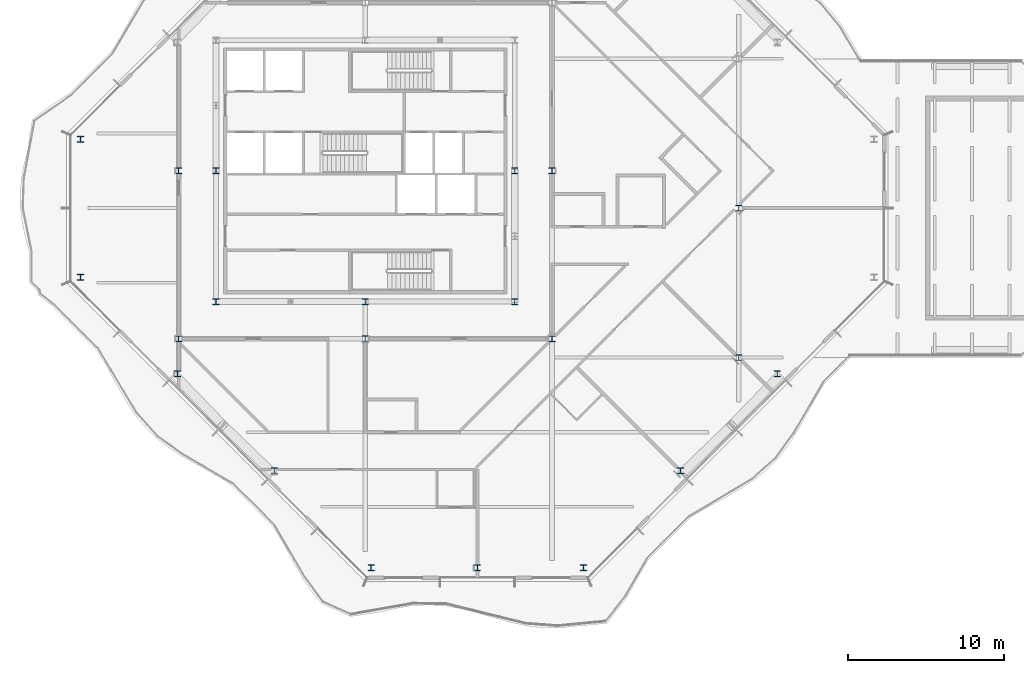
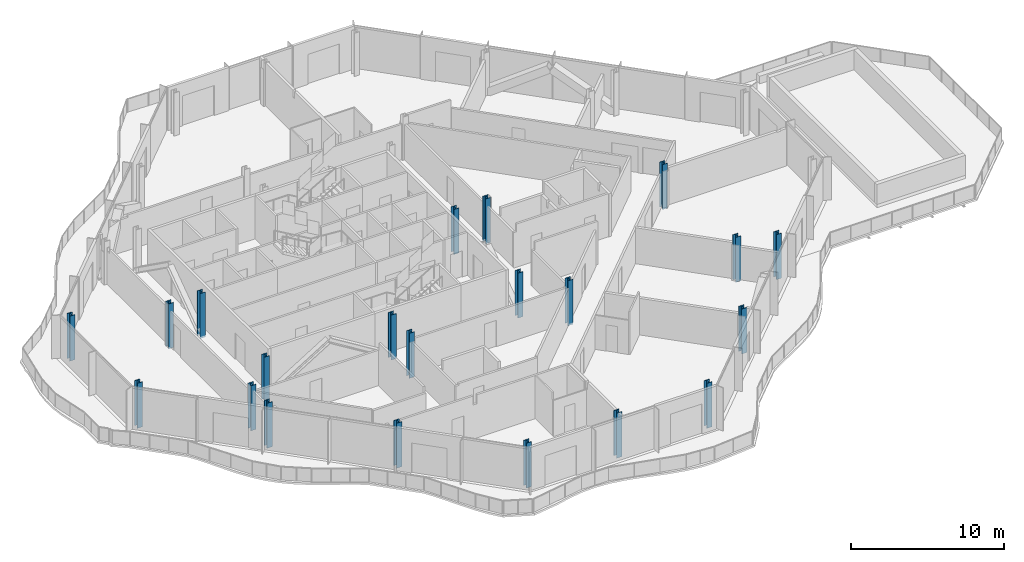
# One storey, part 1 of 16: 21 columns.
"""IFC4 building model written with IfcOpenShell, lengths in metres."""

import ifcopenshell
import ifcopenshell.guid

model = None  # the IFC model being written
_history = None  # IfcOwnerHistory: only IFC2X3 demands one
_inside = {}  # id of a spatial element -> (the spatial element, [elements in it])
_under = {}  # id of a project, library or spatial element -> (it, [spatial elements below it])
_declared = {}  # id of a project -> (the project, [libraries it declares])
_typed = {}  # id of a type object -> (the type object, [elements of that type])
_made_of = {}  # id of a material, layer set ... -> (it, [elements and type objects made of it])


def new_model(schema):
    """Start an empty IFC model of exactly this schema.

    Asked for "IFC4X3", IfcOpenShell would pick the latest addendum, in which some entities
    have other attributes; the version numbers below select the first issue.
    IFC2X3 requires an IfcOwnerHistory on every rooted entity: one is made here for all.
    """
    global model, _history
    if schema == "IFC4X3":
        model = ifcopenshell.file(schema_version=(4, 3, 0, 0))
    else:
        model = ifcopenshell.file(schema=schema)
    _inside.clear()
    _under.clear()
    _declared.clear()
    _typed.clear()
    _made_of.clear()
    _history = None
    if model.schema == "IFC2X3":
        org = make("IfcOrganization", Name="unknown")
        user = make(
            "IfcPersonAndOrganization",
            ThePerson=make("IfcPerson", FamilyName="unknown"),
            TheOrganization=org,
        )
        app = make(
            "IfcApplication",
            ApplicationDeveloper=org,
            Version="unknown",
            ApplicationFullName="unknown",
            ApplicationIdentifier="unknown",
        )
        _history = make(
            "IfcOwnerHistory",
            OwningUser=user,
            OwningApplication=app,
            ChangeAction="ADDED",
            CreationDate=0,
        )
    return model


def make(cls, **values):
    """One entity of the class cls with the attributes given. An attribute that is None is left unset."""
    return model.create_entity(
        cls, **{name: value for name, value in values.items() if value is not None}
    )


def rooted(cls, **values):
    """An entity with a GlobalId (a new one), such as an element, a storey or a relation."""
    return make(cls, GlobalId=ifcopenshell.guid.new(), OwnerHistory=_history, **values)


def si_unit(unit_type, name, prefix=None):
    """IfcSIUnit, for example si_unit("LENGTHUNIT", "METRE", prefix="MILLI")."""
    return make("IfcSIUnit", UnitType=unit_type, Prefix=prefix, Name=name)


def assignment(units):
    """IfcUnitAssignment: the units of a project."""
    return None if units is None else make("IfcUnitAssignment", Units=units)


def point(xyz):
    """IfcCartesianPoint."""
    return None if xyz is None else make("IfcCartesianPoint", Coordinates=xyz)


def direction(xyz):
    """IfcDirection."""
    return None if xyz is None else make("IfcDirection", DirectionRatios=xyz)


def frame(location, z_axis=None, x_axis=None):
    """IfcAxis2Placement3D, a coordinate frame: its origin and axes. An axis left out is left unset."""
    return make(
        "IfcAxis2Placement3D",
        Location=point(location),
        Axis=direction(z_axis),
        RefDirection=direction(x_axis),
    )


def frame_2d(location, x_axis=None):
    """IfcAxis2Placement2D, a coordinate frame in the plane: its origin and x axis."""
    return make(
        "IfcAxis2Placement2D", Location=point(location), RefDirection=direction(x_axis)
    )


def origin():
    """The frame at (0, 0, 0) with its axes left unset."""
    return frame((0.0, 0.0, 0.0))


def origin_2d():
    """The frame at (0, 0) in the plane with its x axis left unset."""
    return frame_2d((0.0, 0.0))


def place(relative_to, where):
    """IfcLocalPlacement: puts the frame where relative to a parent placement (None: the world)."""
    return make(
        "IfcLocalPlacement", PlacementRelTo=relative_to, RelativePlacement=where
    )


def context(
    kind, dimensions, precision=None, world=None, true_north=None, identifier=None
):
    """IfcGeometricRepresentationContext, for example the 3D "Model" context."""
    return make(
        "IfcGeometricRepresentationContext",
        ContextIdentifier=identifier,
        ContextType=kind,
        CoordinateSpaceDimension=dimensions,
        Precision=precision,
        WorldCoordinateSystem=world,
        TrueNorth=true_north,
    )


def subcontext(parent, identifier, kind, view, scale=None):
    """IfcGeometricRepresentationSubContext, for example "Body" below "Model"."""
    return make(
        "IfcGeometricRepresentationSubContext",
        ContextIdentifier=identifier,
        ContextType=kind,
        ParentContext=parent,
        TargetScale=scale,
        TargetView=view,
    )


def project(units=None, contexts=None):
    """IfcProject with its units and contexts."""
    return rooted(
        "IfcProject",
        Name="project",
        RepresentationContexts=contexts,
        UnitsInContext=assignment(units),
    )


def spatial(cls, under=None, at=None, **own):
    """A site, building, storey or space (cls), placed at a placement, below another one or the project."""
    s = rooted(cls, ObjectPlacement=at, **own)
    if under is not None:
        _under.setdefault(under.id(), (under, []))[1].append(s)
    return s


def profile(cls, at=None, kind="AREA", **sizes):
    """A parametric profile (cls). Its sizes go by their IFC names, for example OverallWidth=200.0."""
    return make(cls, ProfileType=kind, Position=at, **sizes)


def i_section(**sizes):
    """IfcIShapeProfileDef."""
    return profile("IfcIShapeProfileDef", **sizes)


def extrude(swept, where, along, depth):
    """IfcExtrudedAreaSolid: the profile swept, set in the frame where, extruded along a direction by depth."""
    return make(
        "IfcExtrudedAreaSolid",
        SweptArea=swept,
        Position=where,
        ExtrudedDirection=direction(along),
        Depth=depth,
    )


def shape(context_of_items, identifier, shape_type, items):
    """IfcShapeRepresentation: the items that make up one representation, for example the "Body"."""
    return make(
        "IfcShapeRepresentation",
        ContextOfItems=context_of_items,
        RepresentationIdentifier=identifier,
        RepresentationType=shape_type,
        Items=items,
    )


def material(Name=None, Category=None):
    """IfcMaterial."""
    return make("IfcMaterial", Name=Name, Category=Category)


def material_profile(
    of_material, cross_section, Name=None, Category=None, Priority=None
):
    """IfcMaterialProfile: a cross section and its material."""
    return make(
        "IfcMaterialProfile",
        Name=Name,
        Material=of_material,
        Profile=cross_section,
        Priority=Priority,
        Category=Category,
    )


def profile_set(profiles, Name=None, composite=None):
    """IfcMaterialProfileSet."""
    return make(
        "IfcMaterialProfileSet",
        Name=Name,
        MaterialProfiles=profiles,
        CompositeProfile=composite,
    )


def made_of(thing, what):
    """Note that an element or type object is made of a material, layer set ...; save() writes the relation."""
    if what is not None:
        _made_of.setdefault(what.id(), (what, []))[1].append(thing)
    return thing


def type_object(cls, material=None, **own):
    """A type object (cls), such as IfcWallType, which elements share."""
    return made_of(rooted(cls, **own), material)


def element(
    cls,
    number,
    at=None,
    inside=None,
    cuts=None,
    type_object=None,
    material=None,
    context=None,
    identifier="Body",
    shape_type=None,
    held_by="IfcProductDefinitionShape",
    body=None,
    shapes=None,
    **own,
):
    """One element of the class cls, such as IfcWall. Its Tag is "e" and its number.

    at: its placement. inside: the storey or other place that contains it. cuts: it is an
    opening in that element (IfcRelVoidsElement). A single representation is given by context,
    identifier, shape_type and body (its items); several are given by shapes. held_by: the class
    of the entity that holds the representations. save() writes the other relations.
    """
    e = rooted(cls, Tag="e%d" % number, ObjectPlacement=at, **own)
    if body is not None:
        shapes = [shape(context, identifier, shape_type, body)]
    if shapes is not None:
        e.Representation = make(held_by, Representations=shapes)
    if inside is not None:
        _inside.setdefault(inside.id(), (inside, []))[1].append(e)
    if cuts is not None:
        rooted(
            "IfcRelVoidsElement", RelatingBuildingElement=cuts, RelatedOpeningElement=e
        )
    if type_object is not None:
        _typed.setdefault(type_object.id(), (type_object, []))[1].append(e)
    return made_of(e, material)


def aggregate(whole, parts):
    """IfcRelAggregates: a whole, such as a stair, and the parts it consists of."""
    return rooted("IfcRelAggregates", RelatingObject=whole, RelatedObjects=parts)


def save(model, path):
    """Write the relations noted so far, then the file.

    IfcRelAggregates (storeys below a building ...), IfcRelContainedInSpatialStructure (elements
    in a storey), IfcRelDefinesByType, IfcRelAssociatesMaterial and IfcRelDeclares: one each for
    every whole, place, type object, material and project.
    """
    for whole, parts in _under.values():
        aggregate(whole, parts)
    for where, things in _inside.values():
        rooted(
            "IfcRelContainedInSpatialStructure",
            RelatedElements=things,
            RelatingStructure=where,
        )
    for kind, things in _typed.values():
        rooted("IfcRelDefinesByType", RelatedObjects=things, RelatingType=kind)
    for what, things in _made_of.values():
        rooted("IfcRelAssociatesMaterial", RelatedObjects=things, RelatingMaterial=what)
    for by, libraries in _declared.values():
        rooted("IfcRelDeclares", RelatingContext=by, RelatedDefinitions=libraries)
    model.write(path)


model = new_model("IFC4")

# Units and contexts
model_context = context("Model", 3, precision=1e-05, world=origin(), true_north=direction((0.0, 1.0)))
body_context = subcontext(model_context, "Body", "Model", "MODEL_VIEW")
ifc_project = project(units=[si_unit("LENGTHUNIT", "METRE"), si_unit("AREAUNIT", "SQUARE_METRE"), si_unit("VOLUMEUNIT", "CUBIC_METRE"), si_unit("PLANEANGLEUNIT", "RADIAN"), si_unit("MASSUNIT", "GRAM", prefix="KILO")], contexts=[model_context])

# Site, building, storey
site_placement = place(None, origin())
site = spatial("IfcSite", under=ifc_project, at=site_placement, CompositionType="ELEMENT")
building_placement = place(site_placement, origin())
building = spatial("IfcBuilding", under=site, at=building_placement, Name="Cairn Pilgrim Tower", CompositionType="ELEMENT")
storey_placement = place(building_placement, frame((0.0, 0.0, 267.0)))
storey = spatial("IfcBuildingStorey", under=building, at=storey_placement, Name="L68", CompositionType="ELEMENT", Elevation=267.0)

# Columns
ifc_material = material(Name="Structural steel S355J2", Category="steel")
ifc_material_profile_1 = material_profile(ifc_material, i_section(OverallWidth=0.39404296875, OverallDepth=0.375, WebThickness=0.017333984375, FlangeThickness=0.027587890625, FilletRadius=0.014892578125, at=origin_2d()), Name="HD 400x216")
ifc_profile_set_1 = profile_set([ifc_material_profile_1], Name="Structural steel S355J2")
column_type_1 = type_object("IfcColumnType", Name="HD 400x216", PredefinedType="COLUMN", material=ifc_profile_set_1)
for number, where, z_axis, x_axis, name in (
    (1, (-4.800048828125, -8.39990234375, -0.14990234375), (0.0, 0.0, 1.0), (1.0, 0.0, 0.0), "IC-1"),
    (2, (7.199951171875, -8.39990234375, -0.14990234375), (0.0, 0.0, 1.0), (1.0, 0.0, 0.0), "IC-2"),
    (3, (19.199951171875, -8.39990234375, -0.14990234375), (0.0, 0.0, 1.0), (1.0, 0.0, 0.0), "IC-3"),
    (4, (-4.800048828125, 2.39990234375, -0.14990234375), (0.0, 0.0, 1.0), (1.0, 0.0, 0.0), "IC-4"),
    (5, (19.199951171875, 2.39990234375, -0.14990234375), (0.0, 0.0, 1.0), (1.0, 0.0, 0.0), "IC-5"),
    (6, (31.199951171875, -9.60009765625, -0.14990234375), (0.0, 0.0, 1.0), (1.0, 0.0, 0.0), "WC-WE-2"),
    (7, (31.199951171875, 0.0, -0.14990234375), (0.0, 0.0, 1.0), (1.0, 0.0, 0.0), "WC-WE+0"),
):
    element("IfcColumn", number, at=place(storey_placement, frame(where, z_axis=z_axis, x_axis=x_axis)), inside=storey, type_object=column_type_1, Name=name, PredefinedType="COLUMN", context=body_context, shape_type="SweptSolid", body=[
        extrude(i_section(OverallWidth=0.39404296875, OverallDepth=0.375, WebThickness=0.017333984375, FlangeThickness=0.027587890625, FilletRadius=0.014892578125, at=origin_2d()), origin(), (0.0, 0.0, 1.0), 3.599853515625),
    ])
ifc_material_profile_2 = material_profile(ifc_material, i_section(OverallWidth=0.39794921875, OverallDepth=0.386962890625, WebThickness=0.02099609375, FlangeThickness=0.033203125, FilletRadius=0.014892578125, at=origin_2d()), Name="HD 400x262")
ifc_profile_set_2 = profile_set([ifc_material_profile_2], Name="Structural steel S355J2")
column_type_2 = type_object("IfcColumnType", Name="HD 400x262", PredefinedType="COLUMN", material=ifc_profile_set_2)
for number, where, z_axis, x_axis, name in (
    (8, (-2.39990234375, -6.0, -0.14990234375), (0.0, 0.0, 1.0), (1.0, 0.0, 0.0), "KC-1"),
    (9, (7.199951171875, -6.0, -0.14990234375), (0.0, 0.0, 1.0), (1.0, 0.0, 0.0), "KC-2"),
    (10, (16.800048828125, -6.0, -0.14990234375), (0.0, 0.0, 1.0), (1.0, 0.0, 0.0), "KC-3"),
    (11, (-2.39990234375, 2.39990234375, -0.14990234375), (0.0, 0.0, 1.0), (1.0, 0.0, 0.0), "KC-4"),
    (12, (16.800048828125, 2.39990234375, -0.14990234375), (0.0, 0.0, 1.0), (1.0, 0.0, 0.0), "KC-5"),
):
    element("IfcColumn", number, at=place(storey_placement, frame(where, z_axis=z_axis, x_axis=x_axis)), inside=storey, type_object=column_type_2, Name=name, PredefinedType="COLUMN", context=body_context, shape_type="SweptSolid", body=[
        extrude(i_section(OverallWidth=0.39794921875, OverallDepth=0.386962890625, WebThickness=0.02099609375, FlangeThickness=0.033203125, FilletRadius=0.014892578125, at=origin_2d()), origin(), (0.0, 0.0, 1.0), 3.599853515625),
    ])
ifc_material_profile_3 = material_profile(ifc_material, i_section(OverallWidth=0.39892578125, OverallDepth=0.39306640625, WebThickness=0.022705078125, FlangeThickness=0.03662109375, FilletRadius=0.014892578125, at=origin_2d()), Name="HD 400x287")
ifc_profile_set_3 = profile_set([ifc_material_profile_3], Name="Structural steel S355J2")
column_type_3 = type_object("IfcColumnType", Name="HD 400x287", PredefinedType="COLUMN", material=ifc_profile_set_3)
for number, where, z_axis, x_axis, name in (
    (13, (7.57275390625, -23.10009765625, -0.14990234375), (0.0, 0.0, 1.0), (1.0, 0.0, 0.0), "PC4-S1"),
    (14, (14.39990234375, -23.10009765625, -0.14990234375), (0.0, 0.0, 1.0), (1.0, 0.0, 0.0), "PC4-S2"),
    (15, (21.227294921875, -23.10009765625, -0.14990234375), (0.0, 0.0, 1.0), (1.0, 0.0, 0.0), "PC4-SE1"),
    (16, (27.451416015625, -16.875732421875, -0.14990234375), (0.0, 0.0, 1.0), (1.0, 0.0, 0.0), "PC4-SE2"),
    (17, (33.67578125, -10.651611328125, -0.14990234375), (0.0, 0.0, 1.0), (1.0, 0.0, 0.0), "PC4-SE3"),
    (18, (-11.10009765625, 4.42724609375, -0.14990234375), (0.0, 0.0, 1.0), (1.0, 0.0, 0.0), "PC4-W1"),
    (19, (-11.10009765625, -4.42724609375, -0.14990234375), (0.0, 0.0, 1.0), (1.0, 0.0, 0.0), "PC4-SW1"),
    (20, (-4.875732421875, -10.651611328125, -0.14990234375), (0.0, 0.0, 1.0), (1.0, 0.0, 0.0), "PC4-SW2"),
    (21, (1.348388671875, -16.875732421875, -0.14990234375), (0.0, 0.0, 1.0), (1.0, 0.0, 0.0), "PC4-SW3"),
):
    element("IfcColumn", number, at=place(storey_placement, frame(where, z_axis=z_axis, x_axis=x_axis)), inside=storey, type_object=column_type_3, Name=name, PredefinedType="COLUMN", context=body_context, shape_type="SweptSolid", body=[
        extrude(i_section(OverallWidth=0.39892578125, OverallDepth=0.39306640625, WebThickness=0.022705078125, FlangeThickness=0.03662109375, FilletRadius=0.014892578125, at=origin_2d()), origin(), (0.0, 0.0, 1.0), 3.599853515625),
    ])

save(model, "model.ifc")
